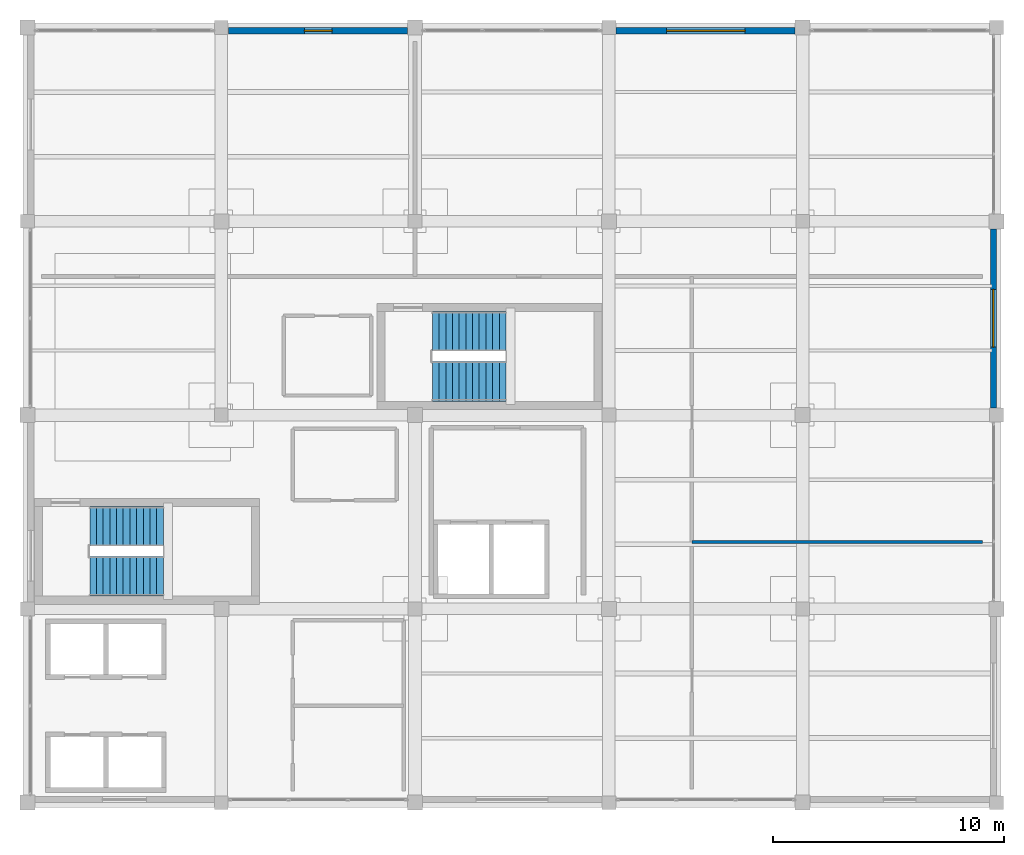
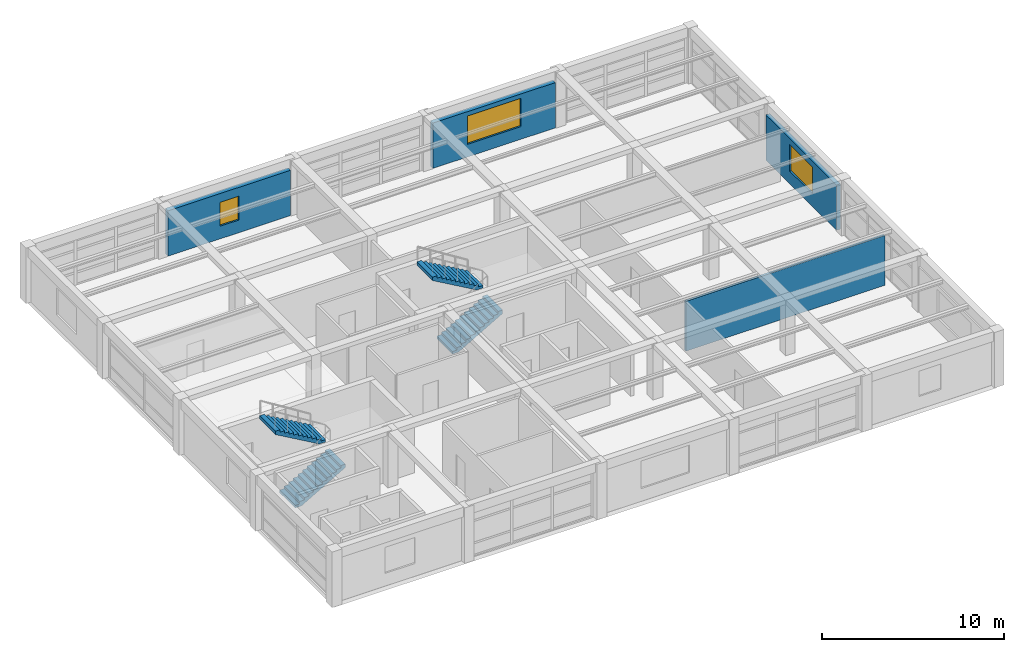
# One storey, part 25 of 26: 4 stair flights, 4 walls, 3 windows, 3 openings, 2 elements without a shape of their own.
"""IFC4 building model written with IfcOpenShell, lengths in metres."""

from ifc_helpers import new_model, si_unit, direction, frame, frame_2d, origin, place, context, subcontext, project, spatial, polyline, rectangle, outline, extrude, material, layer, layer_set, type_object, element, fill, aggregate, save


model = new_model("IFC4")

# Units and contexts
model_context = context("Model", 3, precision=1e-05, world=origin(), true_north=direction((0.0, 1.0)))
body_context = subcontext(model_context, "Body", "Model", "MODEL_VIEW")
ifc_project = project(units=[si_unit("LENGTHUNIT", "METRE"), si_unit("AREAUNIT", "SQUARE_METRE"), si_unit("VOLUMEUNIT", "CUBIC_METRE"), si_unit("PLANEANGLEUNIT", "RADIAN"), si_unit("MASSUNIT", "GRAM", prefix="KILO")], contexts=[model_context])

# Site, building, storey
site_placement = place(None, origin())
site = spatial("IfcSite", under=ifc_project, at=site_placement, CompositionType="ELEMENT")
building_placement = place(site_placement, origin())
building = spatial("IfcBuilding", under=site, at=building_placement, Name="Almacenes y Pasaje Nevantli", CompositionType="ELEMENT")
storey_placement = place(building_placement, frame((0.0, 0.0, 54.699951171875)))
storey = spatial("IfcBuildingStorey", under=building, at=storey_placement, Name="L13", CompositionType="ELEMENT", Elevation=54.699951171875)

# Wall, opening, window
ifc_material_1 = material(Name="Architectural Precast Concrete C35/45 Spandrel Wall", Category="concrete")
ifc_layer_1 = layer(ifc_material_1, 0.280029296875)
ifc_layer_set_1 = layer_set([ifc_layer_1], Name="Architectural Precast Concrete C35/45 Spandrel Wall")
wall_type_1 = type_object("IfcWallType", Name="WL-EXT-CANTERA-280", PredefinedType="SOLIDWALL", material=ifc_layer_set_1)
wall_1_placement = place(storey_placement, frame((126.303955078125, 100.659912109375, 0.0), z_axis=(0.0, 0.0, 1.0), x_axis=(1.0, 0.0, 0.0)))
wall_1 = element("IfcWall", 1, at=wall_1_placement, inside=storey, type_object=wall_type_1, Name="L13 Tower North Polychrome Cantera Wall Bay 16", PredefinedType="SOLIDWALL", context=body_context, shape_type="SweptSolid", body=[
    extrude(rectangle(XDim=7.76806640625, YDim=0.280029296875, at=frame_2d((3.884033203125, 0.0))), origin(), (0.0, 0.0, 1.0), 3.0400390625),
])
opening_1_placement = place(wall_1_placement, frame((3.2958984375, 0.0, 0.85009765625)))
opening_1 = element("IfcOpeningElement", 2, at=opening_1_placement, cuts=wall_1, Name="Opening WT-35-260", PredefinedType="OPENING", context=body_context, shape_type="SweptSolid", body=[
    extrude(rectangle(XDim=1.199951171875, YDim=1.60009765625, at=frame_2d((0.60009765625, 0.800048828125))), frame((0.0, 0.14990234375, 0.0), z_axis=(0.0, -1.0, 0.0), x_axis=(1.0, 0.0, 0.0)), (0.0, 0.0, 1.0), 0.300048828125),
])
ifc_material_2 = material(Name="Thermally Broken Aluminium and Low-E Double Glazing", Category="aluminium")
window_type_1 = type_object("IfcWindowType", Name="WN-TWR-1200x1600", PartitioningType="SINGLE_PANEL", PredefinedType="WINDOW", material=ifc_material_2)
window_1_placement = place(opening_1_placement, origin())
window_1 = element("IfcWindow", 3, at=window_1_placement, inside=storey, type_object=window_type_1, Name="L13 Exterior Window WT-35 #260", OverallHeight=1.60009765625, OverallWidth=1.199951171875, PartitioningType="SINGLE_PANEL", PredefinedType="WINDOW", context=body_context, shape_type="SweptSolid", body=[
    extrude(rectangle(XDim=1.199951171875, YDim=1.60009765625, at=frame_2d((0.60009765625, 0.800048828125))), frame((0.0, 0.030029296875, 0.0), z_axis=(0.0, -1.0, 0.0), x_axis=(1.0, 0.0, 0.0)), (0.0, 0.0, 1.0), 0.06005859375),
])
fill(opening_1, window_1)

wall_2_placement = place(storey_placement, frame((143.10400390625, 100.659912109375, 0.0), z_axis=(0.0, 0.0, 1.0), x_axis=(1.0, 0.0, 0.0)))
wall_2 = element("IfcWall", 4, at=wall_2_placement, inside=storey, type_object=wall_type_1, Name="L13 Tower North Polychrome Cantera Wall Bay 18", PredefinedType="SOLIDWALL", context=body_context, shape_type="SweptSolid", body=[
    extrude(rectangle(XDim=7.76806640625, YDim=0.280029296875, at=frame_2d((3.884033203125, 0.0))), origin(), (0.0, 0.0, 1.0), 3.0400390625),
])
opening_2_placement = place(wall_2_placement, frame((2.196044921875, 0.0, 0.85009765625)))
opening_2 = element("IfcOpeningElement", 5, at=opening_2_placement, cuts=wall_2, Name="Opening WT-27-262", PredefinedType="OPENING", context=body_context, shape_type="SweptSolid", body=[
    extrude(rectangle(XDim=3.39990234375, YDim=1.89990234375, at=frame_2d((1.699951171875, 0.949951171875))), frame((0.0, 0.14990234375, 0.0), z_axis=(0.0, -1.0, 0.0), x_axis=(1.0, 0.0, 0.0)), (0.0, 0.0, 1.0), 0.300048828125),
])
ifc_material_3 = material(Name="Thermally Broken Aluminium and Low-E Double Glazing", Category="aluminium")
window_type_2 = type_object("IfcWindowType", Name="WN-TWR-3400x1900", PartitioningType="SINGLE_PANEL", PredefinedType="WINDOW", material=ifc_material_3)
window_2_placement = place(opening_2_placement, origin())
window_2 = element("IfcWindow", 6, at=window_2_placement, inside=storey, type_object=window_type_2, Name="L13 Exterior Window WT-27 #262", OverallHeight=1.89990234375, OverallWidth=3.39990234375, PartitioningType="SINGLE_PANEL", PredefinedType="WINDOW", context=body_context, shape_type="SweptSolid", body=[
    extrude(rectangle(XDim=3.39990234375, YDim=1.89990234375, at=frame_2d((1.699951171875, 0.949951171875))), frame((0.0, 0.030029296875, 0.0), z_axis=(0.0, -1.0, 0.0), x_axis=(1.0, 0.0, 0.0)), (0.0, 0.0, 1.0), 0.06005859375),
])
fill(opening_2, window_2)

ifc_material_4 = material(Name="Cream Architectural Precast Concrete C35/45 Wall", Category="concrete")
ifc_layer_2 = layer(ifc_material_4, 0.260009765625)
ifc_layer_set_2 = layer_set([ifc_layer_2], Name="Cream Architectural Precast Concrete C35/45 Wall")
wall_type_2 = type_object("IfcWallType", Name="WL-EXT-PRECAST-260", PredefinedType="SOLIDWALL", material=ifc_layer_set_2)
wall_3_placement = place(storey_placement, frame((159.4599609375, 84.303955078125, 0.0), z_axis=(0.0, 0.0, 1.0), x_axis=(0.0, 1.0, 0.0)))
wall_3 = element("IfcWall", 7, at=wall_3_placement, inside=storey, type_object=wall_type_2, Name="L13 Tower East Precast Wall Bay 11", PredefinedType="SOLIDWALL", context=body_context, shape_type="SweptSolid", body=[
    extrude(rectangle(XDim=7.76806640625, YDim=0.260009765625, at=frame_2d((3.884033203125, 0.0))), origin(), (0.0, 0.0, 1.0), 3.0400390625),
])
opening_3_placement = place(wall_3_placement, frame((2.64599609375, 0.0, 0.85009765625)))
opening_3 = element("IfcOpeningElement", 8, at=opening_3_placement, cuts=wall_3, Name="Opening WT-30-266", PredefinedType="OPENING", context=body_context, shape_type="SweptSolid", body=[
    extrude(rectangle(XDim=2.5, YDim=1.800048828125, at=frame_2d((1.25, 0.89990234375))), frame((0.0, 0.139892578125, 0.0), z_axis=(0.0, -1.0, 0.0), x_axis=(1.0, 0.0, 0.0)), (0.0, 0.0, 1.0), 0.280029296875),
])
ifc_material_5 = material(Name="Thermally Broken Aluminium and Low-E Double Glazing", Category="aluminium")
window_type_3 = type_object("IfcWindowType", Name="WN-TWR-2500x1800", PartitioningType="SINGLE_PANEL", PredefinedType="WINDOW", material=ifc_material_5)
window_3_placement = place(opening_3_placement, origin())
window_3 = element("IfcWindow", 9, at=window_3_placement, inside=storey, type_object=window_type_3, Name="L13 Exterior Window WT-30 #266", OverallHeight=1.800048828125, OverallWidth=2.5, PartitioningType="SINGLE_PANEL", PredefinedType="WINDOW", context=body_context, shape_type="SweptSolid", body=[
    extrude(rectangle(XDim=2.5, YDim=1.800048828125, at=frame_2d((1.25, 0.89990234375))), frame((0.0, 0.030029296875, 0.0), z_axis=(0.0, -1.0, 0.0), x_axis=(1.0, 0.0, 0.0)), (0.0, 0.0, 1.0), 0.06005859375),
])
fill(opening_3, window_3)

# Wall
ifc_material_6 = material(Name="Acoustic Steel-Stud Gypsum Partition", Category="steel")
ifc_layer_3 = layer(ifc_material_6, 0.14990234375)
ifc_layer_set_3 = layer_set([ifc_layer_3], Name="Acoustic Steel-Stud Gypsum Partition")
wall_type_3 = type_object("IfcWallType", Name="WL-PART-150", PredefinedType="PARTITIONING", material=ifc_layer_set_3)
wall_4_placement = place(storey_placement, frame((146.39990234375, 78.5, 0.0), z_axis=(0.0, 0.0, 1.0), x_axis=(1.0, 0.0, 0.0)))
element("IfcWall", 10, at=wall_4_placement, inside=storey, type_object=wall_type_3, Name="L13 Interior Partition Wall IW-150 #239", PredefinedType="PARTITIONING", context=body_context, shape_type="SweptSolid", body=[
    extrude(rectangle(XDim=12.60009765625, YDim=0.14990234375, at=frame_2d((6.300048828125, 0.0))), origin(), (0.0, 0.0, 1.0), 3.340087890625),
])

# Stair, stair flights
ifc_material_7 = material(Name="Concrete C35/45", Category="concrete")
stair_type = type_object("IfcStairType", Name="STR-CORE-1720", PredefinedType="HALF_TURN_STAIR", material=ifc_material_7)
stair_1_placement = place(storey_placement, origin())
stair_1 = element("IfcStair", 11, at=stair_1_placement, inside=storey, type_object=stair_type, Name="L13 Staircase ST-01", PredefinedType="HALF_TURN_STAIR")
ifc_material_8 = material(Name="Concrete C35/45", Category="concrete")
ifc_layer_4 = layer(ifc_material_8, 0.199951171875)
ifc_layer_set_4 = layer_set([ifc_layer_4], Name="Concrete C35/45")
stair_flight_type = type_object("IfcStairFlightType", Name="SFL-RC-200", PredefinedType="STRAIGHT", material=ifc_layer_set_4)
stair_flight_1_placement = place(storey_placement, frame((120.300048828125, 77.010009765625, 0.0), z_axis=(0.0, 0.0, 1.0), x_axis=(1.0, 0.0, 0.0)))
stair_flight_1 = element("IfcStairFlight", 12, at=stair_flight_1_placement, type_object=stair_flight_type, Name="ST-01-L13 flight 1", NumberOfRisers=12, NumberOfTreads=11, PredefinedType="STRAIGHT", RiserHeight=0.166667, TreadLength=0.29, context=body_context, shape_type="SweptSolid", body=[
    extrude(outline(polyline([(0.0, 0.0), (0.0, 0.166748046875), (0.2900390625, 0.166748046875), (0.2900390625, 0.333251953125), (0.580078125, 0.333251953125), (0.580078125, 0.5), (0.8701171875, 0.5), (0.8701171875, 0.666748046875), (1.159912109375, 0.666748046875), (1.159912109375, 0.833251953125), (1.449951171875, 0.833251953125), (1.449951171875, 1.0), (1.739990234375, 1.0), (1.739990234375, 1.166748046875), (2.030029296875, 1.166748046875), (2.030029296875, 1.333251953125), (2.320068359375, 1.333251953125), (2.320068359375, 1.5), (2.610107421875, 1.5), (2.610107421875, 1.666748046875), (2.89990234375, 1.666748046875), (2.89990234375, 1.833251953125), (3.18994140625, 1.833251953125), (3.18994140625, 2.0), (3.18994140625, 1.602783203125), (0.4013671875, 0.0), (0.0, 0.0)])), frame((0.0, 0.85986328125, 0.0), z_axis=(0.0, -1.0, 0.0), x_axis=(1.0, 0.0, 0.0)), (0.0, 0.0, 1.0), 1.719970703125),
])
stair_flight_2_placement = place(storey_placement, frame((123.489990234375, 79.179931640625, 2.0), z_axis=(0.0, 0.0, 1.0), x_axis=(-1.0, 0.0, 0.0)))
stair_flight_2 = element("IfcStairFlight", 13, at=stair_flight_2_placement, type_object=stair_flight_type, Name="ST-01-L13 flight 2", NumberOfRisers=12, NumberOfTreads=11, PredefinedType="STRAIGHT", RiserHeight=0.166667, TreadLength=0.29, context=body_context, shape_type="SweptSolid", body=[
    extrude(outline(polyline([(0.0, 0.0), (0.0, 0.166748046875), (0.2900390625, 0.166748046875), (0.2900390625, 0.333251953125), (0.580078125, 0.333251953125), (0.580078125, 0.5), (0.8701171875, 0.5), (0.8701171875, 0.666748046875), (1.159912109375, 0.666748046875), (1.159912109375, 0.833251953125), (1.449951171875, 0.833251953125), (1.449951171875, 1.0), (1.739990234375, 1.0), (1.739990234375, 1.166748046875), (2.030029296875, 1.166748046875), (2.030029296875, 1.333251953125), (2.320068359375, 1.333251953125), (2.320068359375, 1.5), (2.610107421875, 1.5), (2.610107421875, 1.666748046875), (2.89990234375, 1.666748046875), (2.89990234375, 1.833251953125), (3.18994140625, 1.833251953125), (3.18994140625, 2.0), (3.18994140625, 1.602783203125), (0.4013671875, 0.0), (0.0, 0.0)])), frame((0.0, 0.85986328125, 0.0), z_axis=(0.0, -1.0, 0.0), x_axis=(1.0, 0.0, 0.0)), (0.0, 0.0, 1.0), 1.719970703125),
])
aggregate(stair_1, [stair_flight_1, stair_flight_2])

stair_2_placement = place(storey_placement, origin())
stair_2 = element("IfcStair", 14, at=stair_2_placement, inside=storey, type_object=stair_type, Name="L13 Staircase ST-02", PredefinedType="HALF_TURN_STAIR")
stair_flight_3_placement = place(storey_placement, frame((135.14990234375, 85.4599609375, 0.0), z_axis=(0.0, 0.0, 1.0), x_axis=(1.0, 0.0, 0.0)))
stair_flight_3 = element("IfcStairFlight", 15, at=stair_flight_3_placement, type_object=stair_flight_type, Name="ST-02-L13 flight 1", NumberOfRisers=12, NumberOfTreads=11, PredefinedType="STRAIGHT", RiserHeight=0.166667, TreadLength=0.29, context=body_context, shape_type="SweptSolid", body=[
    extrude(outline(polyline([(0.0, 0.0), (0.0, 0.166748046875), (0.2900390625, 0.166748046875), (0.2900390625, 0.333251953125), (0.580078125, 0.333251953125), (0.580078125, 0.5), (0.8701171875, 0.5), (0.8701171875, 0.666748046875), (1.159912109375, 0.666748046875), (1.159912109375, 0.833251953125), (1.449951171875, 0.833251953125), (1.449951171875, 1.0), (1.739990234375, 1.0), (1.739990234375, 1.166748046875), (2.030029296875, 1.166748046875), (2.030029296875, 1.333251953125), (2.320068359375, 1.333251953125), (2.320068359375, 1.5), (2.610107421875, 1.5), (2.610107421875, 1.666748046875), (2.89990234375, 1.666748046875), (2.89990234375, 1.833251953125), (3.18994140625, 1.833251953125), (3.18994140625, 2.0), (3.18994140625, 1.602783203125), (0.4013671875, 0.0), (0.0, 0.0)])), frame((0.0, 0.85986328125, 0.0), z_axis=(0.0, -1.0, 0.0), x_axis=(1.0, 0.0, 0.0)), (0.0, 0.0, 1.0), 1.719970703125),
])
stair_flight_4_placement = place(storey_placement, frame((138.340087890625, 87.6298828125, 2.0), z_axis=(0.0, 0.0, 1.0), x_axis=(-1.0, 0.0, 0.0)))
stair_flight_4 = element("IfcStairFlight", 16, at=stair_flight_4_placement, type_object=stair_flight_type, Name="ST-02-L13 flight 2", NumberOfRisers=12, NumberOfTreads=11, PredefinedType="STRAIGHT", RiserHeight=0.166667, TreadLength=0.29, context=body_context, shape_type="SweptSolid", body=[
    extrude(outline(polyline([(0.0, 0.0), (0.0, 0.166748046875), (0.2900390625, 0.166748046875), (0.2900390625, 0.333251953125), (0.580078125, 0.333251953125), (0.580078125, 0.5), (0.8701171875, 0.5), (0.8701171875, 0.666748046875), (1.159912109375, 0.666748046875), (1.159912109375, 0.833251953125), (1.449951171875, 0.833251953125), (1.449951171875, 1.0), (1.739990234375, 1.0), (1.739990234375, 1.166748046875), (2.030029296875, 1.166748046875), (2.030029296875, 1.333251953125), (2.320068359375, 1.333251953125), (2.320068359375, 1.5), (2.610107421875, 1.5), (2.610107421875, 1.666748046875), (2.89990234375, 1.666748046875), (2.89990234375, 1.833251953125), (3.18994140625, 1.833251953125), (3.18994140625, 2.0), (3.18994140625, 1.602783203125), (0.4013671875, 0.0), (0.0, 0.0)])), frame((0.0, 0.85986328125, 0.0), z_axis=(0.0, -1.0, 0.0), x_axis=(1.0, 0.0, 0.0)), (0.0, 0.0, 1.0), 1.719970703125),
])
aggregate(stair_2, [stair_flight_3, stair_flight_4])

save(model, "model.ifc")
